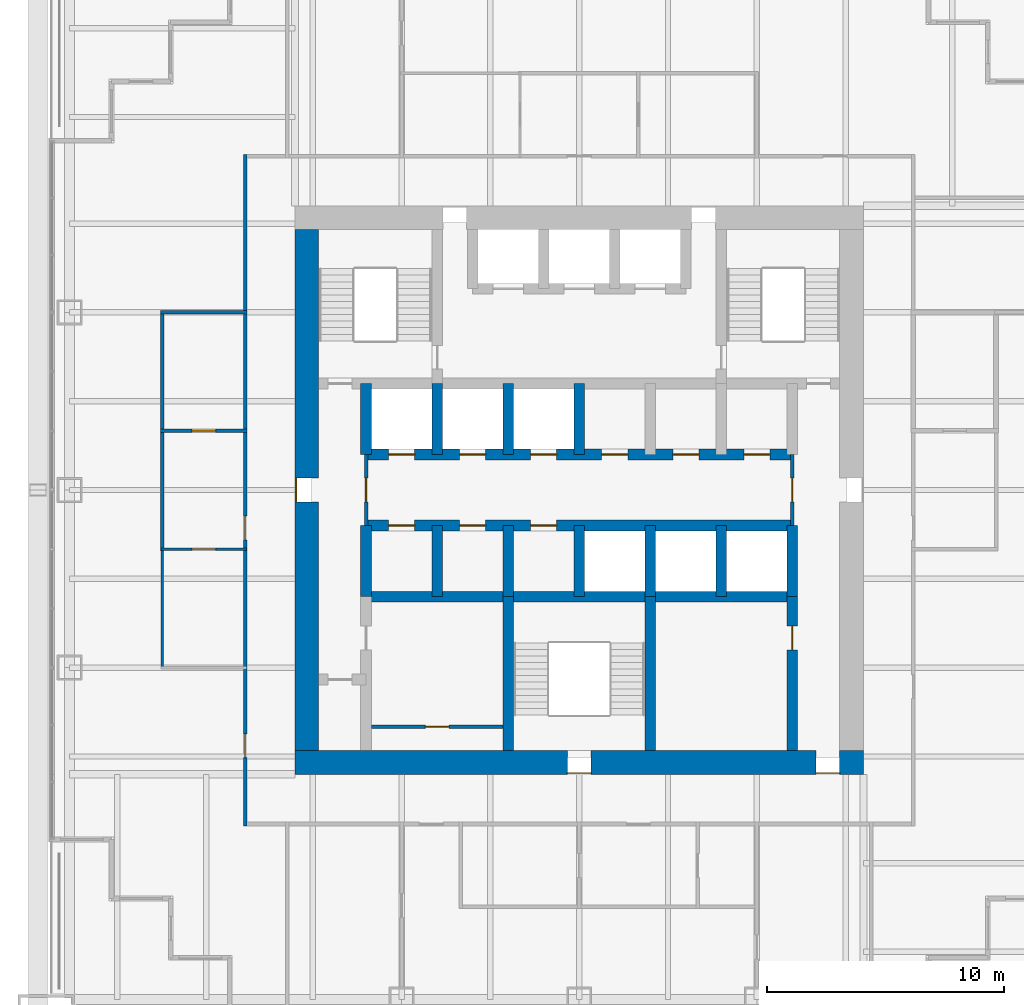
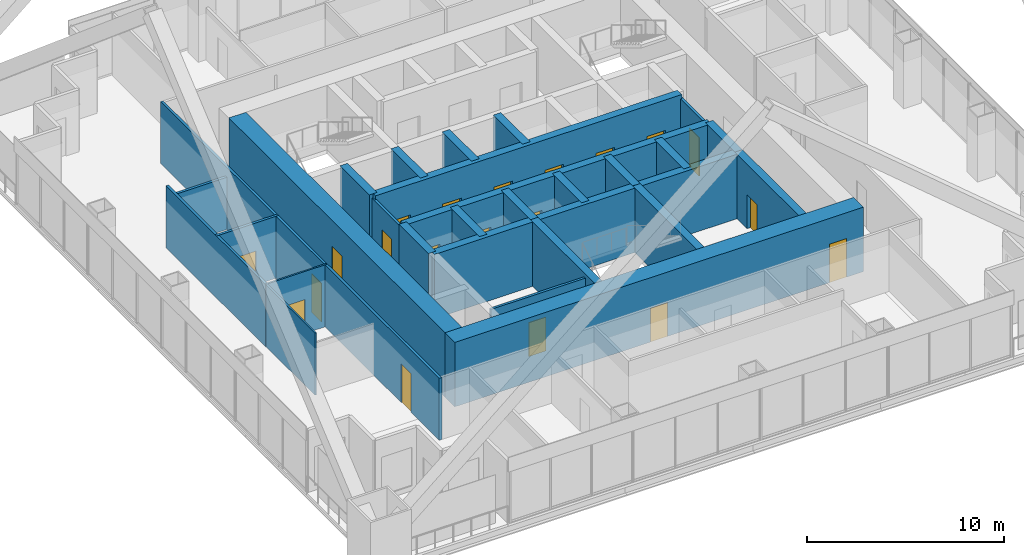
# One storey, part 15 of 19: 28 walls, 20 doors, 20 openings.
"""IFC4 building model written with IfcOpenShell, lengths in metres."""

from ifc_helpers import new_model, si_unit, direction, frame, frame_2d, origin, place, context, subcontext, project, spatial, rectangle, extrude, material, layer, layer_set, type_object, element, fill, save


model = new_model("IFC4")

# Units and contexts
model_context = context("Model", 3, precision=1e-05, world=origin(), true_north=direction((0.0, 1.0)))
body_context = subcontext(model_context, "Body", "Model", "MODEL_VIEW")
ifc_project = project(units=[si_unit("LENGTHUNIT", "METRE"), si_unit("AREAUNIT", "SQUARE_METRE"), si_unit("VOLUMEUNIT", "CUBIC_METRE"), si_unit("PLANEANGLEUNIT", "RADIAN"), si_unit("MASSUNIT", "GRAM", prefix="KILO")], contexts=[model_context])

# Site, building, storey
site_placement = place(None, origin())
site = spatial("IfcSite", under=ifc_project, at=site_placement, CompositionType="ELEMENT")
building_placement = place(site_placement, origin())
building = spatial("IfcBuilding", under=site, at=building_placement, Name="Tarangal Relay Tower", CompositionType="ELEMENT")
storey_placement = place(building_placement, frame((0.0, 0.0, 213.89990234375)))
storey = spatial("IfcBuildingStorey", under=building, at=storey_placement, Name="L45", CompositionType="ELEMENT", Elevation=213.89990234375)

# Wall, openings, doors
ifc_material_1 = material(Name="Concrete fc' 60 MPa", Category="concrete")
ifc_layer_1 = layer(ifc_material_1, 0.449951171875)
ifc_layer_set_1 = layer_set([ifc_layer_1], Name="Core inner wall 450")
wall_type_1 = type_object("IfcWallType", Name="Core inner wall 450", PredefinedType="SHEAR", material=ifc_layer_set_1)
wall_1_placement = place(storey_placement, frame((-9.0, 1.5, 0.0), z_axis=(0.0, 0.0, 1.0), x_axis=(1.0, 0.0, 0.0)))
wall_1 = element("IfcWall", 1, at=wall_1_placement, inside=storey, type_object=wall_type_1, Name="Core wall Y15 L45", PredefinedType="SHEAR", context=body_context, shape_type="SweptSolid", body=[
    extrude(rectangle(XDim=18.0, YDim=0.449951171875, at=frame_2d((9.0, 0.0))), origin(), (0.0, 0.0, 1.0), 4.0),
])
opening_1_placement = place(wall_1_placement, frame((0.949951171875, 0.0, 0.0)))
opening_1 = element("IfcOpeningElement", 2, at=opening_1_placement, cuts=wall_1, Name="Opening LD1", PredefinedType="OPENING", context=body_context, shape_type="SweptSolid", body=[
    extrude(rectangle(XDim=1.10009765625, YDim=2.10009765625, at=frame_2d((0.550048828125, 1.050048828125))), frame((0.0, 0.23486328125, 0.0), z_axis=(0.0, -1.0, 0.0), x_axis=(1.0, 0.0, 0.0)), (0.0, 0.0, 1.0), 0.469970703125),
])
opening_2_placement = place(wall_1_placement, frame((3.949951171875, 0.0, 0.0)))
opening_2 = element("IfcOpeningElement", 3, at=opening_2_placement, cuts=wall_1, Name="Opening LD1", PredefinedType="OPENING", context=body_context, shape_type="SweptSolid", body=[
    extrude(rectangle(XDim=1.10009765625, YDim=2.10009765625, at=frame_2d((0.550048828125, 1.050048828125))), frame((0.0, 0.23486328125, 0.0), z_axis=(0.0, -1.0, 0.0), x_axis=(1.0, 0.0, 0.0)), (0.0, 0.0, 1.0), 0.469970703125),
])
opening_3_placement = place(wall_1_placement, frame((6.949951171875, 0.0, 0.0)))
opening_3 = element("IfcOpeningElement", 4, at=opening_3_placement, cuts=wall_1, Name="Opening LD1", PredefinedType="OPENING", context=body_context, shape_type="SweptSolid", body=[
    extrude(rectangle(XDim=1.10009765625, YDim=2.10009765625, at=frame_2d((0.550048828125, 1.050048828125))), frame((0.0, 0.23486328125, 0.0), z_axis=(0.0, -1.0, 0.0), x_axis=(1.0, 0.0, 0.0)), (0.0, 0.0, 1.0), 0.469970703125),
])
opening_4_placement = place(wall_1_placement, frame((9.949951171875, 0.0, 0.0)))
opening_4 = element("IfcOpeningElement", 5, at=opening_4_placement, cuts=wall_1, Name="Opening D4", PredefinedType="OPENING", context=body_context, shape_type="SweptSolid", body=[
    extrude(rectangle(XDim=1.10009765625, YDim=2.10009765625, at=frame_2d((0.550048828125, 1.050048828125))), frame((0.0, 0.23486328125, 0.0), z_axis=(0.0, -1.0, 0.0), x_axis=(1.0, 0.0, 0.0)), (0.0, 0.0, 1.0), 0.469970703125),
])
opening_5_placement = place(wall_1_placement, frame((12.949951171875, 0.0, 0.0)))
opening_5 = element("IfcOpeningElement", 6, at=opening_5_placement, cuts=wall_1, Name="Opening D4", PredefinedType="OPENING", context=body_context, shape_type="SweptSolid", body=[
    extrude(rectangle(XDim=1.10009765625, YDim=2.10009765625, at=frame_2d((0.550048828125, 1.050048828125))), frame((0.0, 0.23486328125, 0.0), z_axis=(0.0, -1.0, 0.0), x_axis=(1.0, 0.0, 0.0)), (0.0, 0.0, 1.0), 0.469970703125),
])
opening_6_placement = place(wall_1_placement, frame((15.949951171875, 0.0, 0.0)))
opening_6 = element("IfcOpeningElement", 7, at=opening_6_placement, cuts=wall_1, Name="Opening D4", PredefinedType="OPENING", context=body_context, shape_type="SweptSolid", body=[
    extrude(rectangle(XDim=1.10009765625, YDim=2.10009765625, at=frame_2d((0.550048828125, 1.050048828125))), frame((0.0, 0.23486328125, 0.0), z_axis=(0.0, -1.0, 0.0), x_axis=(1.0, 0.0, 0.0)), (0.0, 0.0, 1.0), 0.469970703125),
])
ifc_material_2 = material(Name="Steel door with hardwood frame", Category="steel")
door_type_1 = type_object("IfcDoorType", Name="Core room door 1100 x 2100", OperationType="SINGLE_SWING_RIGHT", PredefinedType="DOOR", material=ifc_material_2)
door_1_placement = place(opening_4_placement, origin())
door_1 = element("IfcDoor", 8, at=door_1_placement, inside=storey, type_object=door_type_1, Name="Door D4 to cleaner's store L45-T1", OperationType="SINGLE_SWING_RIGHT", OverallHeight=2.10009765625, OverallWidth=1.10009765625, PredefinedType="DOOR", context=body_context, shape_type="SweptSolid", body=[
    extrude(rectangle(XDim=1.10009765625, YDim=2.10009765625, at=frame_2d((0.550048828125, 1.050048828125))), frame((0.0, 0.02490234375, 0.0), z_axis=(0.0, -1.0, 0.0), x_axis=(1.0, 0.0, 0.0)), (0.0, 0.0, 1.0), 0.050048828125),
])
fill(opening_4, door_1)
door_2_placement = place(opening_5_placement, origin())
door_2 = element("IfcDoor", 9, at=door_2_placement, inside=storey, type_object=door_type_1, Name="Door D4 to staff wc L45-T2", OperationType="SINGLE_SWING_RIGHT", OverallHeight=2.10009765625, OverallWidth=1.10009765625, PredefinedType="DOOR", context=body_context, shape_type="SweptSolid", body=[
    extrude(rectangle(XDim=1.10009765625, YDim=2.10009765625, at=frame_2d((0.550048828125, 1.050048828125))), frame((0.0, 0.02490234375, 0.0), z_axis=(0.0, -1.0, 0.0), x_axis=(1.0, 0.0, 0.0)), (0.0, 0.0, 1.0), 0.050048828125),
])
fill(opening_5, door_2)
door_3_placement = place(opening_6_placement, origin())
door_3 = element("IfcDoor", 10, at=door_3_placement, inside=storey, type_object=door_type_1, Name="Door D4 to staff pantry L45-T3", OperationType="SINGLE_SWING_RIGHT", OverallHeight=2.10009765625, OverallWidth=1.10009765625, PredefinedType="DOOR", context=body_context, shape_type="SweptSolid", body=[
    extrude(rectangle(XDim=1.10009765625, YDim=2.10009765625, at=frame_2d((0.550048828125, 1.050048828125))), frame((0.0, 0.02490234375, 0.0), z_axis=(0.0, -1.0, 0.0), x_axis=(1.0, 0.0, 0.0)), (0.0, 0.0, 1.0), 0.050048828125),
])
fill(opening_6, door_3)
door_type_2 = type_object("IfcDoorType", Name="Lift landing door 1100 x 2100", OperationType="SLIDING_TO_LEFT", PredefinedType="DOOR", material=ifc_material_2)
door_4_placement = place(opening_1_placement, origin())
door_4 = element("IfcDoor", 11, at=door_4_placement, inside=storey, type_object=door_type_2, Name="Lift OL1 landing door L45", OperationType="SLIDING_TO_LEFT", OverallHeight=2.10009765625, OverallWidth=1.10009765625, PredefinedType="DOOR", context=body_context, shape_type="SweptSolid", body=[
    extrude(rectangle(XDim=1.10009765625, YDim=2.10009765625, at=frame_2d((0.550048828125, 1.050048828125))), frame((0.0, 0.02490234375, 0.0), z_axis=(0.0, -1.0, 0.0), x_axis=(1.0, 0.0, 0.0)), (0.0, 0.0, 1.0), 0.050048828125),
])
fill(opening_1, door_4)
door_5_placement = place(opening_2_placement, origin())
door_5 = element("IfcDoor", 12, at=door_5_placement, inside=storey, type_object=door_type_2, Name="Lift OL2 landing door L45", OperationType="SLIDING_TO_LEFT", OverallHeight=2.10009765625, OverallWidth=1.10009765625, PredefinedType="DOOR", context=body_context, shape_type="SweptSolid", body=[
    extrude(rectangle(XDim=1.10009765625, YDim=2.10009765625, at=frame_2d((0.550048828125, 1.050048828125))), frame((0.0, 0.02490234375, 0.0), z_axis=(0.0, -1.0, 0.0), x_axis=(1.0, 0.0, 0.0)), (0.0, 0.0, 1.0), 0.050048828125),
])
fill(opening_2, door_5)
door_6_placement = place(opening_3_placement, origin())
door_6 = element("IfcDoor", 13, at=door_6_placement, inside=storey, type_object=door_type_2, Name="Lift OL3 landing door L45", OperationType="SLIDING_TO_LEFT", OverallHeight=2.10009765625, OverallWidth=1.10009765625, PredefinedType="DOOR", context=body_context, shape_type="SweptSolid", body=[
    extrude(rectangle(XDim=1.10009765625, YDim=2.10009765625, at=frame_2d((0.550048828125, 1.050048828125))), frame((0.0, 0.02490234375, 0.0), z_axis=(0.0, -1.0, 0.0), x_axis=(1.0, 0.0, 0.0)), (0.0, 0.0, 1.0), 0.050048828125),
])
fill(opening_3, door_6)

wall_2_placement = place(storey_placement, frame((-9.0, -1.5, 0.0), z_axis=(0.0, 0.0, 1.0), x_axis=(1.0, 0.0, 0.0)))
wall_2 = element("IfcWall", 14, at=wall_2_placement, inside=storey, type_object=wall_type_1, Name="Core wall YM15 L45", PredefinedType="SHEAR", context=body_context, shape_type="SweptSolid", body=[
    extrude(rectangle(XDim=18.0, YDim=0.449951171875, at=frame_2d((9.0, 0.0))), origin(), (0.0, 0.0, 1.0), 4.0),
])
opening_7_placement = place(wall_2_placement, frame((0.949951171875, 0.0, 0.0)))
opening_7 = element("IfcOpeningElement", 15, at=opening_7_placement, cuts=wall_2, Name="Opening D4", PredefinedType="OPENING", context=body_context, shape_type="SweptSolid", body=[
    extrude(rectangle(XDim=1.10009765625, YDim=2.10009765625, at=frame_2d((0.550048828125, 1.050048828125))), frame((0.0, 0.23486328125, 0.0), z_axis=(0.0, -1.0, 0.0), x_axis=(1.0, 0.0, 0.0)), (0.0, 0.0, 1.0), 0.469970703125),
])
opening_8_placement = place(wall_2_placement, frame((3.949951171875, 0.0, 0.0)))
opening_8 = element("IfcOpeningElement", 16, at=opening_8_placement, cuts=wall_2, Name="Opening D4", PredefinedType="OPENING", context=body_context, shape_type="SweptSolid", body=[
    extrude(rectangle(XDim=1.10009765625, YDim=2.10009765625, at=frame_2d((0.550048828125, 1.050048828125))), frame((0.0, 0.23486328125, 0.0), z_axis=(0.0, -1.0, 0.0), x_axis=(1.0, 0.0, 0.0)), (0.0, 0.0, 1.0), 0.469970703125),
])
opening_9_placement = place(wall_2_placement, frame((6.949951171875, 0.0, 0.0)))
opening_9 = element("IfcOpeningElement", 17, at=opening_9_placement, cuts=wall_2, Name="Opening D4", PredefinedType="OPENING", context=body_context, shape_type="SweptSolid", body=[
    extrude(rectangle(XDim=1.10009765625, YDim=2.10009765625, at=frame_2d((0.550048828125, 1.050048828125))), frame((0.0, 0.23486328125, 0.0), z_axis=(0.0, -1.0, 0.0), x_axis=(1.0, 0.0, 0.0)), (0.0, 0.0, 1.0), 0.469970703125),
])
door_7_placement = place(opening_7_placement, origin())
door_7 = element("IfcDoor", 18, at=door_7_placement, inside=storey, type_object=door_type_1, Name="Door D4 to it room L45-S1", OperationType="SINGLE_SWING_RIGHT", OverallHeight=2.10009765625, OverallWidth=1.10009765625, PredefinedType="DOOR", context=body_context, shape_type="SweptSolid", body=[
    extrude(rectangle(XDim=1.10009765625, YDim=2.10009765625, at=frame_2d((0.550048828125, 1.050048828125))), frame((0.0, 0.02490234375, 0.0), z_axis=(0.0, -1.0, 0.0), x_axis=(1.0, 0.0, 0.0)), (0.0, 0.0, 1.0), 0.050048828125),
])
fill(opening_7, door_7)
door_8_placement = place(opening_8_placement, origin())
door_8 = element("IfcDoor", 19, at=door_8_placement, inside=storey, type_object=door_type_1, Name="Door D4 to cleaner's store L45-S2", OperationType="SINGLE_SWING_RIGHT", OverallHeight=2.10009765625, OverallWidth=1.10009765625, PredefinedType="DOOR", context=body_context, shape_type="SweptSolid", body=[
    extrude(rectangle(XDim=1.10009765625, YDim=2.10009765625, at=frame_2d((0.550048828125, 1.050048828125))), frame((0.0, 0.02490234375, 0.0), z_axis=(0.0, -1.0, 0.0), x_axis=(1.0, 0.0, 0.0)), (0.0, 0.0, 1.0), 0.050048828125),
])
fill(opening_8, door_8)
door_9_placement = place(opening_9_placement, origin())
door_9 = element("IfcDoor", 20, at=door_9_placement, inside=storey, type_object=door_type_1, Name="Door D4 to staff wc L45-S3", OperationType="SINGLE_SWING_RIGHT", OverallHeight=2.10009765625, OverallWidth=1.10009765625, PredefinedType="DOOR", context=body_context, shape_type="SweptSolid", body=[
    extrude(rectangle(XDim=1.10009765625, YDim=2.10009765625, at=frame_2d((0.550048828125, 1.050048828125))), frame((0.0, 0.02490234375, 0.0), z_axis=(0.0, -1.0, 0.0), x_axis=(1.0, 0.0, 0.0)), (0.0, 0.0, 1.0), 0.050048828125),
])
fill(opening_9, door_9)

# Walls
wall_3_placement = place(storey_placement, frame((-9.0, -4.5, 0.0), z_axis=(0.0, 0.0, 1.0), x_axis=(1.0, 0.0, 0.0)))
element("IfcWall", 21, at=wall_3_placement, inside=storey, type_object=wall_type_1, Name="Core wall YM45 L45", PredefinedType="SHEAR", context=body_context, shape_type="SweptSolid", body=[
    extrude(rectangle(XDim=18.0, YDim=0.449951171875, at=frame_2d((9.0, 0.0))), origin(), (0.0, 0.0, 1.0), 4.0),
])
for number, where, z_axis, x_axis, name in (
    (22, (-9.0, 1.5, 0.0), (0.0, 0.0, 1.0), (0.0, 1.0, 0.0), "Core wall XM9N L45"),
    (23, (-9.0, -4.5, 0.0), (0.0, 0.0, 1.0), (0.0, 1.0, 0.0), "Core wall XM9S L45"),
    (24, (9.0, -4.5, 0.0), (0.0, 0.0, 1.0), (0.0, 1.0, 0.0), "Core wall X9S L45"),
    (25, (-6.0, 1.5, 0.0), (0.0, 0.0, 1.0), (0.0, 1.0, 0.0), "Core wall XM6N L45"),
    (26, (-3.0, 1.5, 0.0), (0.0, 0.0, 1.0), (0.0, 1.0, 0.0), "Core wall XM3N L45"),
    (27, (0.0, 1.5, 0.0), (0.0, 0.0, 1.0), (0.0, 1.0, 0.0), "Core wall X0N L45"),
    (28, (-6.0, -4.5, 0.0), (0.0, 0.0, 1.0), (0.0, 1.0, 0.0), "Core wall XM6S L45"),
    (29, (-3.0, -4.5, 0.0), (0.0, 0.0, 1.0), (0.0, 1.0, 0.0), "Core wall XM3S L45"),
    (30, (0.0, -4.5, 0.0), (0.0, 0.0, 1.0), (0.0, 1.0, 0.0), "Core wall X0S L45"),
    (31, (3.0, -4.5, 0.0), (0.0, 0.0, 1.0), (0.0, 1.0, 0.0), "Core wall X3S L45"),
    (32, (6.0, -4.5, 0.0), (0.0, 0.0, 1.0), (0.0, 1.0, 0.0), "Core wall X6S L45"),
):
    element("IfcWall", number, at=place(storey_placement, frame(where, z_axis=z_axis, x_axis=x_axis)), inside=storey, type_object=wall_type_1, Name=name, PredefinedType="SHEAR", context=body_context, shape_type="SweptSolid", body=[
        extrude(rectangle(XDim=3.0, YDim=0.449951171875, at=frame_2d((1.5, 0.0))), origin(), (0.0, 0.0, 1.0), 4.0),
    ])

# Wall, opening, door
wall_4_placement = place(storey_placement, frame((9.0, -11.0, 0.0), z_axis=(0.0, 0.0, 1.0), x_axis=(0.0, 1.0, 0.0)))
wall_4 = element("IfcWall", 33, at=wall_4_placement, inside=storey, type_object=wall_type_1, Name="Core wall X9W L45", PredefinedType="SHEAR", context=body_context, shape_type="SweptSolid", body=[
    extrude(rectangle(XDim=6.5, YDim=0.449951171875, at=frame_2d((3.25, 0.0))), origin(), (0.0, 0.0, 1.0), 4.0),
])
opening_10_placement = place(wall_4_placement, frame((4.25, 0.0, 0.0)))
opening_10 = element("IfcOpeningElement", 34, at=opening_10_placement, cuts=wall_4, Name="Opening D1", PredefinedType="OPENING", context=body_context, shape_type="SweptSolid", body=[
    extrude(rectangle(XDim=1.0, YDim=2.10009765625, at=frame_2d((0.5, 1.050048828125))), frame((0.0, 0.23486328125, 0.0), z_axis=(0.0, -1.0, 0.0), x_axis=(1.0, 0.0, 0.0)), (0.0, 0.0, 1.0), 0.469970703125),
])
ifc_material_3 = material(Name="Hardwood door", Category="wood")
door_type_3 = type_object("IfcDoorType", Name="WC door 1000 x 2100", OperationType="SINGLE_SWING_LEFT", PredefinedType="DOOR", material=ifc_material_3)
door_10_placement = place(opening_10_placement, origin())
door_10 = element("IfcDoor", 35, at=door_10_placement, inside=storey, type_object=door_type_3, Name="Female WC door L45", OperationType="SINGLE_SWING_LEFT", OverallHeight=2.10009765625, OverallWidth=1.0, PredefinedType="DOOR", context=body_context, shape_type="SweptSolid", body=[
    extrude(rectangle(XDim=1.0, YDim=2.10009765625, at=frame_2d((0.5, 1.050048828125))), frame((0.0, 0.02490234375, 0.0), z_axis=(0.0, -1.0, 0.0), x_axis=(1.0, 0.0, 0.0)), (0.0, 0.0, 1.0), 0.050048828125),
])
fill(opening_10, door_10)

# Walls
for number, where, z_axis, x_axis, name in (
    (36, (-3.0, -11.0, 0.0), (0.0, 0.0, 1.0), (0.0, 1.0, 0.0), "Core wall XM3W L45"),
    (37, (3.0, -11.0, 0.0), (0.0, 0.0, 1.0), (0.0, 1.0, 0.0), "Core wall X3W L45"),
):
    element("IfcWall", number, at=place(storey_placement, frame(where, z_axis=z_axis, x_axis=x_axis)), inside=storey, type_object=wall_type_1, Name=name, PredefinedType="SHEAR", context=body_context, shape_type="SweptSolid", body=[
        extrude(rectangle(XDim=6.5, YDim=0.449951171875, at=frame_2d((3.25, 0.0))), origin(), (0.0, 0.0, 1.0), 4.0),
    ])

# Wall, openings, doors
ifc_layer_2 = layer(ifc_material_1, 1.0)
ifc_layer_set_2 = layer_set([ifc_layer_2], Name="Core wall 1000")
wall_type_2 = type_object("IfcWallType", Name="Core wall 1000", PredefinedType="SHEAR", material=ifc_layer_set_2)
wall_5_placement = place(storey_placement, frame((12.0, -11.5, 0.0), z_axis=(0.0, 0.0, 1.0), x_axis=(-1.0, 0.0, 0.0)))
wall_5 = element("IfcWall", 38, at=wall_5_placement, inside=storey, type_object=wall_type_2, Name="Core wall S L45", PredefinedType="SHEAR", context=body_context, shape_type="SweptSolid", body=[
    extrude(rectangle(XDim=24.0, YDim=1.0, at=frame_2d((12.0, 0.0))), origin(), (0.0, 0.0, 1.0), 4.0),
])
opening_11_placement = place(wall_5_placement, frame((11.5, 0.0, 0.0)))
opening_11 = element("IfcOpeningElement", 39, at=opening_11_placement, cuts=wall_5, Name="Opening FD1", PredefinedType="OPENING", context=body_context, shape_type="SweptSolid", body=[
    extrude(rectangle(XDim=1.0, YDim=2.10009765625, at=frame_2d((0.5, 1.050048828125))), frame((0.0, 0.510009765625, 0.0), z_axis=(0.0, -1.0, 0.0), x_axis=(1.0, 0.0, 0.0)), (0.0, 0.0, 1.0), 1.02001953125),
])
opening_12_placement = place(wall_5_placement, frame((1.0, 0.0, 0.0)))
opening_12 = element("IfcOpeningElement", 40, at=opening_12_placement, cuts=wall_5, Name="Opening FD3", PredefinedType="OPENING", context=body_context, shape_type="SweptSolid", body=[
    extrude(rectangle(XDim=1.0, YDim=2.39990234375, at=frame_2d((0.5, 1.199951171875))), frame((0.0, 0.510009765625, 0.0), z_axis=(0.0, -1.0, 0.0), x_axis=(1.0, 0.0, 0.0)), (0.0, 0.0, 1.0), 1.02001953125),
])
door_type_4 = type_object("IfcDoorType", Name="Fire door 1000 x 2100", OperationType="SINGLE_SWING_LEFT", PredefinedType="DOOR", material=ifc_material_2)
door_11_placement = place(opening_11_placement, origin())
door_11 = element("IfcDoor", 41, at=door_11_placement, inside=storey, type_object=door_type_4, Name="Stair ST-C door L45", OperationType="SINGLE_SWING_LEFT", OverallHeight=2.10009765625, OverallWidth=1.0, PredefinedType="DOOR", context=body_context, shape_type="SweptSolid", body=[
    extrude(rectangle(XDim=1.0, YDim=2.10009765625, at=frame_2d((0.5, 1.050048828125))), frame((0.0, 0.48486328125, 0.0), z_axis=(0.0, -1.0, 0.0), x_axis=(1.0, 0.0, 0.0)), (0.0, 0.0, 1.0), 0.050048828125),
])
fill(opening_11, door_11)
door_type_5 = type_object("IfcDoorType", Name="Fire door 1000 x 2400 core entry", OperationType="SINGLE_SWING_RIGHT", PredefinedType="DOOR", material=ifc_material_2)
door_12_placement = place(opening_12_placement, origin())
door_12 = element("IfcDoor", 42, at=door_12_placement, inside=storey, type_object=door_type_5, Name="Core entry door south east L45", OperationType="SINGLE_SWING_RIGHT", OverallHeight=2.39990234375, OverallWidth=1.0, PredefinedType="DOOR", context=body_context, shape_type="SweptSolid", body=[
    extrude(rectangle(XDim=1.0, YDim=2.39990234375, at=frame_2d((0.5, 1.199951171875))), frame((0.0, 0.48486328125, 0.0), z_axis=(0.0, -1.0, 0.0), x_axis=(1.0, 0.0, 0.0)), (0.0, 0.0, 1.0), 0.050048828125),
])
fill(opening_12, door_12)

# Wall, opening, door
wall_6_placement = place(storey_placement, frame((-11.5, -11.0, 0.0), z_axis=(0.0, 0.0, 1.0), x_axis=(0.0, 1.0, 0.0)))
wall_6 = element("IfcWall", 43, at=wall_6_placement, inside=storey, type_object=wall_type_2, Name="Core wall W L45", PredefinedType="SHEAR", context=body_context, shape_type="SweptSolid", body=[
    extrude(rectangle(XDim=22.0, YDim=1.0, at=frame_2d((11.0, 0.0))), origin(), (0.0, 0.0, 1.0), 4.0),
])
opening_13_placement = place(wall_6_placement, frame((10.5, 0.0, 0.0)))
opening_13 = element("IfcOpeningElement", 44, at=opening_13_placement, cuts=wall_6, Name="Opening FD3", PredefinedType="OPENING", context=body_context, shape_type="SweptSolid", body=[
    extrude(rectangle(XDim=1.0, YDim=2.39990234375, at=frame_2d((0.5, 1.199951171875))), frame((0.0, 0.510009765625, 0.0), z_axis=(0.0, -1.0, 0.0), x_axis=(1.0, 0.0, 0.0)), (0.0, 0.0, 1.0), 1.02001953125),
])
door_13_placement = place(opening_13_placement, origin())
door_13 = element("IfcDoor", 45, at=door_13_placement, inside=storey, type_object=door_type_5, Name="Core entry door west L45", OperationType="SINGLE_SWING_RIGHT", OverallHeight=2.39990234375, OverallWidth=1.0, PredefinedType="DOOR", context=body_context, shape_type="SweptSolid", body=[
    extrude(rectangle(XDim=1.0, YDim=2.39990234375, at=frame_2d((0.5, 1.199951171875))), frame((0.0, 0.48486328125, 0.0), z_axis=(0.0, -1.0, 0.0), x_axis=(1.0, 0.0, 0.0)), (0.0, 0.0, 1.0), 0.050048828125),
])
fill(opening_13, door_13)

ifc_material_4 = material(Name="Double glazed aluminium framed partition", Category="aluminium")
ifc_layer_3 = layer(ifc_material_4, 0.10009765625)
ifc_layer_set_3 = layer_set([ifc_layer_3], Name="Glazed partition 100")
wall_type_3 = type_object("IfcWallType", Name="Glazed partition 100", PredefinedType="PARTITIONING", material=ifc_layer_set_3)
wall_7_placement = place(storey_placement, frame((-17.64990234375, -2.5, 0.0), z_axis=(0.0, 0.0, 1.0), x_axis=(1.0, 0.0, 0.0)))
wall_7 = element("IfcWall", 46, at=wall_7_placement, inside=storey, type_object=wall_type_3, Name="Partition PT3 L45", PredefinedType="PARTITIONING", context=body_context, shape_type="SweptSolid", body=[
    extrude(rectangle(XDim=3.599853515625, YDim=0.10009765625, at=frame_2d((1.7998046875, 0.0))), origin(), (0.0, 0.0, 1.0), 3.85009765625),
])
opening_14_placement = place(wall_7_placement, frame((1.300048828125, 0.0, 0.0)))
opening_14 = element("IfcOpeningElement", 47, at=opening_14_placement, cuts=wall_7, Name="Opening D3", PredefinedType="OPENING", context=body_context, shape_type="SweptSolid", body=[
    extrude(rectangle(XDim=1.0, YDim=2.10009765625, at=frame_2d((0.5, 1.050048828125))), frame((0.0, 0.06005859375, 0.0), z_axis=(0.0, -1.0, 0.0), x_axis=(1.0, 0.0, 0.0)), (0.0, 0.0, 1.0), 0.1201171875),
])
ifc_material_5 = material(Name="Frameless glass door", Category="glass")
door_type_6 = type_object("IfcDoorType", Name="Glazed door 1000 x 2100", OperationType="SINGLE_SWING_LEFT", PredefinedType="DOOR", material=ifc_material_5)
door_14_placement = place(opening_14_placement, origin())
door_14 = element("IfcDoor", 48, at=door_14_placement, inside=storey, type_object=door_type_6, Name="Door D3 to meeting room L45-15", OperationType="SINGLE_SWING_LEFT", OverallHeight=2.10009765625, OverallWidth=1.0, PredefinedType="DOOR", context=body_context, shape_type="SweptSolid", body=[
    extrude(rectangle(XDim=1.0, YDim=2.10009765625, at=frame_2d((0.5, 1.050048828125))), frame((0.0, 0.02490234375, 0.0), z_axis=(0.0, -1.0, 0.0), x_axis=(1.0, 0.0, 0.0)), (0.0, 0.0, 1.0), 0.050048828125),
])
fill(opening_14, door_14)

# Wall
wall_8_placement = place(storey_placement, frame((-17.60009765625, -7.550048828125, 0.0), z_axis=(0.0, 0.0, 1.0), x_axis=(0.0, 1.0, 0.0)))
element("IfcWall", 49, at=wall_8_placement, inside=storey, type_object=wall_type_3, Name="Partition PT3 L45", PredefinedType="PARTITIONING", context=body_context, shape_type="SweptSolid", body=[
    extrude(rectangle(XDim=5.10009765625, YDim=0.10009765625, at=frame_2d((2.550048828125, 0.0))), origin(), (0.0, 0.0, 1.0), 3.85009765625),
])

# Wall, opening, door
ifc_material_6 = material(Name="Gypsum board on steel studs", Category="steel")
ifc_layer_4 = layer(ifc_material_6, 0.14990234375)
ifc_layer_set_4 = layer_set([ifc_layer_4], Name="Partition 150")
wall_type_4 = type_object("IfcWallType", Name="Partition 150", PredefinedType="PARTITIONING", material=ifc_layer_set_4)
wall_9_placement = place(storey_placement, frame((-17.675048828125, 2.5, 0.0), z_axis=(0.0, 0.0, 1.0), x_axis=(1.0, 0.0, 0.0)))
wall_9 = element("IfcWall", 50, at=wall_9_placement, inside=storey, type_object=wall_type_4, Name="Partition PT1 L45", PredefinedType="PARTITIONING", context=body_context, shape_type="SweptSolid", body=[
    extrude(rectangle(XDim=3.650146484375, YDim=0.14990234375, at=frame_2d((1.8251953125, 0.0))), origin(), (0.0, 0.0, 1.0), 3.85009765625),
])
opening_15_placement = place(wall_9_placement, frame((1.324951171875, 0.0, 0.0)))
opening_15 = element("IfcOpeningElement", 51, at=opening_15_placement, cuts=wall_9, Name="Opening D2", PredefinedType="OPENING", context=body_context, shape_type="SweptSolid", body=[
    extrude(rectangle(XDim=1.0, YDim=2.10009765625, at=frame_2d((0.5, 1.050048828125))), frame((0.0, 0.0849609375, 0.0), z_axis=(0.0, -1.0, 0.0), x_axis=(1.0, 0.0, 0.0)), (0.0, 0.0, 1.0), 0.169921875),
])
door_type_7 = type_object("IfcDoorType", Name="Door 1000 x 2100", OperationType="SINGLE_SWING_LEFT", PredefinedType="DOOR", material=ifc_material_3)
door_15_placement = place(opening_15_placement, origin())
door_15 = element("IfcDoor", 52, at=door_15_placement, inside=storey, type_object=door_type_7, Name="Door D2 to tea pantry L45-17", OperationType="SINGLE_SWING_LEFT", OverallHeight=2.10009765625, OverallWidth=1.0, PredefinedType="DOOR", context=body_context, shape_type="SweptSolid", body=[
    extrude(rectangle(XDim=1.0, YDim=2.10009765625, at=frame_2d((0.5, 1.050048828125))), frame((0.0, 0.02490234375, 0.0), z_axis=(0.0, -1.0, 0.0), x_axis=(1.0, 0.0, 0.0)), (0.0, 0.0, 1.0), 0.050048828125),
])
fill(opening_15, door_15)

# Walls
wall_10_placement = place(storey_placement, frame((-17.675048828125, 7.5, 0.0), z_axis=(0.0, 0.0, 1.0), x_axis=(1.0, 0.0, 0.0)))
element("IfcWall", 53, at=wall_10_placement, inside=storey, type_object=wall_type_4, Name="Partition PT1 L45", PredefinedType="PARTITIONING", context=body_context, shape_type="SweptSolid", body=[
    extrude(rectangle(XDim=3.650146484375, YDim=0.14990234375, at=frame_2d((1.8251953125, 0.0))), origin(), (0.0, 0.0, 1.0), 3.238037109375),
])
wall_11_placement = place(storey_placement, frame((-17.60009765625, -2.574951171875, 0.0), z_axis=(0.0, 0.0, 1.0), x_axis=(0.0, 1.0, 0.0)))
element("IfcWall", 54, at=wall_11_placement, inside=storey, type_object=wall_type_4, Name="Partition PT1 L45", PredefinedType="PARTITIONING", context=body_context, shape_type="SweptSolid", body=[
    extrude(rectangle(XDim=10.14990234375, YDim=0.14990234375, at=frame_2d((5.074951171875, 0.0))), origin(), (0.0, 0.0, 1.0), 3.85009765625),
])

# Wall, openings, doors
wall_12_placement = place(storey_placement, frame((-14.10009765625, -14.175048828125, 0.0), z_axis=(0.0, 0.0, 1.0), x_axis=(0.0, 1.0, 0.0)))
wall_12 = element("IfcWall", 55, at=wall_12_placement, inside=storey, type_object=wall_type_4, Name="Partition PT1 L45", PredefinedType="PARTITIONING", context=body_context, shape_type="SweptSolid", body=[
    extrude(rectangle(XDim=28.35009765625, YDim=0.14990234375, at=frame_2d((14.175048828125, 0.0))), origin(), (0.0, 0.0, 1.0), 3.85009765625),
])
opening_16_placement = place(wall_12_placement, frame((12.074951171875, 0.0, 0.0)))
opening_16 = element("IfcOpeningElement", 56, at=opening_16_placement, cuts=wall_12, Name="Opening SD1", PredefinedType="OPENING", context=body_context, shape_type="SweptSolid", body=[
    extrude(rectangle(XDim=1.0, YDim=2.39990234375, at=frame_2d((0.5, 1.199951171875))), frame((0.0, 0.0849609375, 0.0), z_axis=(0.0, -1.0, 0.0), x_axis=(1.0, 0.0, 0.0)), (0.0, 0.0, 1.0), 0.169921875),
])
opening_17_placement = place(wall_12_placement, frame((2.875, 0.0, 0.0)))
opening_17 = element("IfcOpeningElement", 57, at=opening_17_placement, cuts=wall_12, Name="Opening SD1", PredefinedType="OPENING", context=body_context, shape_type="SweptSolid", body=[
    extrude(rectangle(XDim=1.0, YDim=2.39990234375, at=frame_2d((0.5, 1.199951171875))), frame((0.0, 0.0849609375, 0.0), z_axis=(0.0, -1.0, 0.0), x_axis=(1.0, 0.0, 0.0)), (0.0, 0.0, 1.0), 0.169921875),
])
door_type_8 = type_object("IfcDoorType", Name="Suite entrance door 1000 x 2400", OperationType="SINGLE_SWING_RIGHT", PredefinedType="DOOR", material=ifc_material_2)
door_16_placement = place(opening_16_placement, origin())
door_16 = element("IfcDoor", 58, at=door_16_placement, inside=storey, type_object=door_type_8, Name="Door SD1 to reception L45-16", OperationType="SINGLE_SWING_RIGHT", OverallHeight=2.39990234375, OverallWidth=1.0, PredefinedType="DOOR", context=body_context, shape_type="SweptSolid", body=[
    extrude(rectangle(XDim=1.0, YDim=2.39990234375, at=frame_2d((0.5, 1.199951171875))), frame((0.0, 0.02490234375, 0.0), z_axis=(0.0, -1.0, 0.0), x_axis=(1.0, 0.0, 0.0)), (0.0, 0.0, 1.0), 0.050048828125),
])
fill(opening_16, door_16)
door_17_placement = place(opening_17_placement, origin())
door_17 = element("IfcDoor", 59, at=door_17_placement, inside=storey, type_object=door_type_8, Name="Door SD1 to open plan office L45-20", OperationType="SINGLE_SWING_RIGHT", OverallHeight=2.39990234375, OverallWidth=1.0, PredefinedType="DOOR", context=body_context, shape_type="SweptSolid", body=[
    extrude(rectangle(XDim=1.0, YDim=2.39990234375, at=frame_2d((0.5, 1.199951171875))), frame((0.0, 0.02490234375, 0.0), z_axis=(0.0, -1.0, 0.0), x_axis=(1.0, 0.0, 0.0)), (0.0, 0.0, 1.0), 0.050048828125),
])
fill(opening_17, door_17)

# Wall, opening, door
wall_13_placement = place(storey_placement, frame((-8.77490234375, -10.0, 0.0), z_axis=(0.0, 0.0, 1.0), x_axis=(1.0, 0.0, 0.0)))
wall_13 = element("IfcWall", 60, at=wall_13_placement, inside=storey, type_object=wall_type_4, Name="Partition PT1 L45", PredefinedType="PARTITIONING", context=body_context, shape_type="SweptSolid", body=[
    extrude(rectangle(XDim=5.5498046875, YDim=0.14990234375, at=frame_2d((2.77490234375, 0.0))), origin(), (0.0, 0.0, 1.0), 3.75),
])
opening_18_placement = place(wall_13_placement, frame((2.27490234375, 0.0, 0.0)))
opening_18 = element("IfcOpeningElement", 61, at=opening_18_placement, cuts=wall_13, Name="Opening D1", PredefinedType="OPENING", context=body_context, shape_type="SweptSolid", body=[
    extrude(rectangle(XDim=1.0, YDim=2.10009765625, at=frame_2d((0.5, 1.050048828125))), frame((0.0, 0.0849609375, 0.0), z_axis=(0.0, -1.0, 0.0), x_axis=(1.0, 0.0, 0.0)), (0.0, 0.0, 1.0), 0.169921875),
])
door_18_placement = place(opening_18_placement, origin())
door_18 = element("IfcDoor", 62, at=door_18_placement, inside=storey, type_object=door_type_3, Name="Door D1 to male shower room L45-C7B", OperationType="SINGLE_SWING_LEFT", OverallHeight=2.10009765625, OverallWidth=1.0, PredefinedType="DOOR", context=body_context, shape_type="SweptSolid", body=[
    extrude(rectangle(XDim=1.0, YDim=2.10009765625, at=frame_2d((0.5, 1.050048828125))), frame((0.0, 0.02490234375, 0.0), z_axis=(0.0, -1.0, 0.0), x_axis=(1.0, 0.0, 0.0)), (0.0, 0.0, 1.0), 0.050048828125),
])
fill(opening_18, door_18)

wall_14_placement = place(storey_placement, frame((-9.0, -1.5, 0.0), z_axis=(0.0, 0.0, 1.0), x_axis=(0.0, 1.0, 0.0)))
wall_14 = element("IfcWall", 63, at=wall_14_placement, inside=storey, type_object=wall_type_4, Name="Partition PT1 L45", PredefinedType="PARTITIONING", context=body_context, shape_type="SweptSolid", body=[
    extrude(rectangle(XDim=3.0, YDim=0.14990234375, at=frame_2d((1.5, 0.0))), origin(), (0.0, 0.0, 1.0), 3.75),
])
opening_19_placement = place(wall_14_placement, frame((1.0, 0.0, 0.0)))
opening_19 = element("IfcOpeningElement", 64, at=opening_19_placement, cuts=wall_14, Name="Opening FD3", PredefinedType="OPENING", context=body_context, shape_type="SweptSolid", body=[
    extrude(rectangle(XDim=1.0, YDim=2.39990234375, at=frame_2d((0.5, 1.199951171875))), frame((0.0, 0.0849609375, 0.0), z_axis=(0.0, -1.0, 0.0), x_axis=(1.0, 0.0, 0.0)), (0.0, 0.0, 1.0), 0.169921875),
])
door_19_placement = place(opening_19_placement, origin())
door_19 = element("IfcDoor", 65, at=door_19_placement, inside=storey, type_object=door_type_5, Name="Lift lobby door FD3 to the west corridor L45", OperationType="SINGLE_SWING_RIGHT", OverallHeight=2.39990234375, OverallWidth=1.0, PredefinedType="DOOR", context=body_context, shape_type="SweptSolid", body=[
    extrude(rectangle(XDim=1.0, YDim=2.39990234375, at=frame_2d((0.5, 1.199951171875))), frame((0.0, 0.02490234375, 0.0), z_axis=(0.0, -1.0, 0.0), x_axis=(1.0, 0.0, 0.0)), (0.0, 0.0, 1.0), 0.050048828125),
])
fill(opening_19, door_19)

wall_15_placement = place(storey_placement, frame((9.0, -1.5, 0.0), z_axis=(0.0, 0.0, 1.0), x_axis=(0.0, 1.0, 0.0)))
wall_15 = element("IfcWall", 66, at=wall_15_placement, inside=storey, type_object=wall_type_4, Name="Partition PT1 L45", PredefinedType="PARTITIONING", context=body_context, shape_type="SweptSolid", body=[
    extrude(rectangle(XDim=3.0, YDim=0.14990234375, at=frame_2d((1.5, 0.0))), origin(), (0.0, 0.0, 1.0), 3.75),
])
opening_20_placement = place(wall_15_placement, frame((1.0, 0.0, 0.0)))
opening_20 = element("IfcOpeningElement", 67, at=opening_20_placement, cuts=wall_15, Name="Opening FD3", PredefinedType="OPENING", context=body_context, shape_type="SweptSolid", body=[
    extrude(rectangle(XDim=1.0, YDim=2.39990234375, at=frame_2d((0.5, 1.199951171875))), frame((0.0, 0.0849609375, 0.0), z_axis=(0.0, -1.0, 0.0), x_axis=(1.0, 0.0, 0.0)), (0.0, 0.0, 1.0), 0.169921875),
])
door_20_placement = place(opening_20_placement, origin())
door_20 = element("IfcDoor", 68, at=door_20_placement, inside=storey, type_object=door_type_5, Name="Lift lobby door FD3 to the east corridor L45", OperationType="SINGLE_SWING_RIGHT", OverallHeight=2.39990234375, OverallWidth=1.0, PredefinedType="DOOR", context=body_context, shape_type="SweptSolid", body=[
    extrude(rectangle(XDim=1.0, YDim=2.39990234375, at=frame_2d((0.5, 1.199951171875))), frame((0.0, 0.02490234375, 0.0), z_axis=(0.0, -1.0, 0.0), x_axis=(1.0, 0.0, 0.0)), (0.0, 0.0, 1.0), 0.050048828125),
])
fill(opening_20, door_20)

save(model, "model.ifc")
